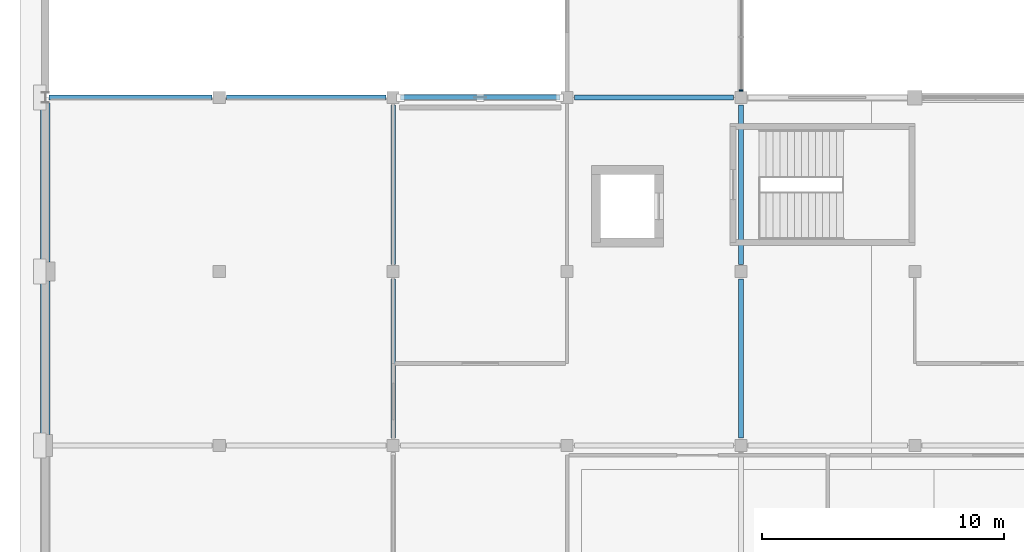
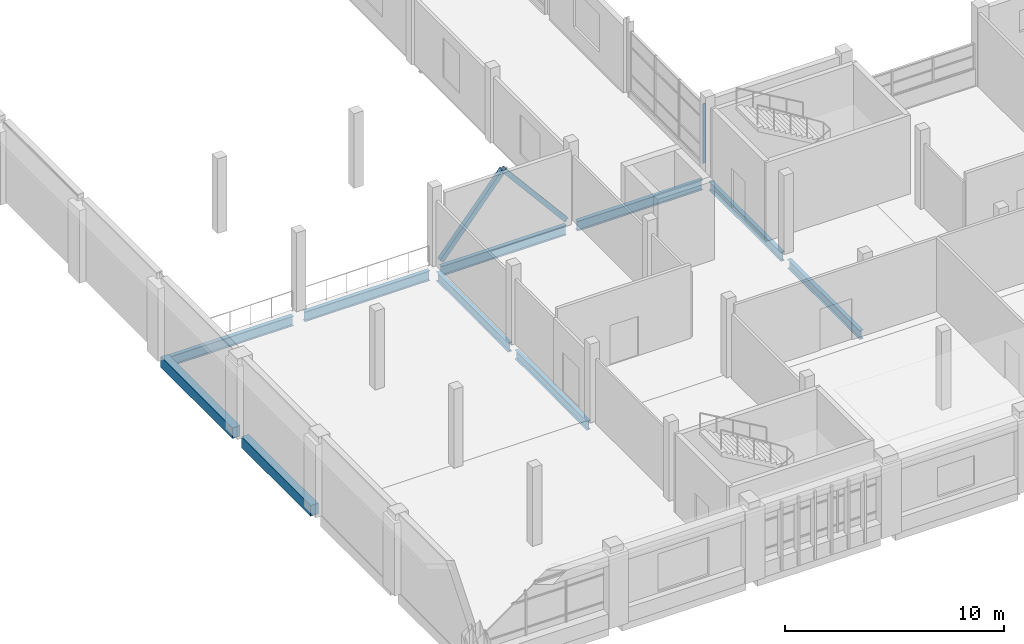
# One storey, part 10 of 71: 10 beams, 3 members, 1 element without a shape of its own.
"""IFC4 building model written with IfcOpenShell, lengths in metres."""

from ifc_helpers import new_model, si_unit, direction, frame, origin, origin_2d, place, context, subcontext, project, spatial, rectangle, hollow_rectangle, i_section, extrude, material, material_profile, profile_set, type_object, element, aggregate, save


model = new_model("IFC4")

# Units and contexts
model_context = context("Model", 3, precision=1e-05, world=origin(), true_north=direction((0.0, 1.0)))
body_context = subcontext(model_context, "Body", "Model", "MODEL_VIEW")
ifc_project = project(units=[si_unit("LENGTHUNIT", "METRE"), si_unit("AREAUNIT", "SQUARE_METRE"), si_unit("VOLUMEUNIT", "CUBIC_METRE"), si_unit("PLANEANGLEUNIT", "RADIAN"), si_unit("MASSUNIT", "GRAM", prefix="KILO")], contexts=[model_context])

# Site, building, storey
site_placement = place(None, origin())
site = spatial("IfcSite", under=ifc_project, at=site_placement, CompositionType="ELEMENT")
building_placement = place(site_placement, origin())
building = spatial("IfcBuilding", under=site, at=building_placement, Name="Sardonyx Promenade Sports Hall", CompositionType="ELEMENT")
storey_placement = place(building_placement, frame((0.0, 0.0, 16.0)))
storey = spatial("IfcBuildingStorey", under=building, at=storey_placement, Name="L03", CompositionType="ELEMENT", Elevation=16.0)

# Beams
ifc_material_1 = material(Name="Steel S355JR", Category="steel")
ifc_material_profile_1 = material_profile(ifc_material_1, i_section(OverallWidth=0.199951171875, OverallDepth=0.5, WebThickness=0.01025390625, FlangeThickness=0.01611328125, at=origin_2d()))
ifc_profile_set_1 = profile_set([ifc_material_profile_1], Name="Steel S355JR")
beam_type_1 = type_object("IfcBeamType", Name="Bm_Primary_IPE500", PredefinedType="BEAM", material=ifc_profile_set_1)
for number, where, z_axis, x_axis, name in (
    (1, (14.39990234375, 14.699951171875, -0.5400390625), (0.0, 1.0, 0.0), (-1.0, 0.0, 0.0), "Beam SB06 L03 #814"),
    (2, (14.39990234375, 21.89990234375, -0.5400390625), (0.0, 1.0, 0.0), (-1.0, 0.0, 0.0), "Beam SB06 L03 #815"),
    (3, (28.800048828125, 14.699951171875, -0.52001953125), (0.0, 1.0, 0.0), (-1.0, 0.0, 0.0), "Beam SB06 L03 #821"),
    (4, (28.800048828125, 21.89990234375, -0.52001953125), (0.0, 1.0, 0.0), (-1.0, 0.0, 0.0), "Beam SB06 L03 #822"),
):
    element("IfcBeam", number, at=place(storey_placement, frame(where, z_axis=z_axis, x_axis=x_axis)), inside=storey, type_object=beam_type_1, Name=name, PredefinedType="BEAM", context=body_context, shape_type="SweptSolid", body=[
        extrude(i_section(OverallWidth=0.199951171875, OverallDepth=0.5, WebThickness=0.01025390625, FlangeThickness=0.01611328125, at=origin_2d()), origin(), (0.0, 0.0, 1.0), 6.60009765625),
    ])
ifc_material_2 = material(Name="Steel S355JR", Category="steel")
ifc_material_profile_2 = material_profile(ifc_material_2, i_section(OverallWidth=0.2099609375, OverallDepth=0.550048828125, WebThickness=0.010986328125, FlangeThickness=0.01708984375, at=origin_2d()))
ifc_profile_set_2 = profile_set([ifc_material_profile_2], Name="Steel S355JR")
beam_type_2 = type_object("IfcBeamType", Name="Bm_Primary_IPE550", PredefinedType="BEAM", material=ifc_profile_set_2)
beam_1_placement = place(storey_placement, frame((0.14990234375, 28.800048828125, -0.56494140625), z_axis=(1.0, 0.0, 0.0), x_axis=(0.0, 1.0, 0.0)))
element("IfcBeam", 5, at=beam_1_placement, inside=storey, type_object=beam_type_2, Name="Beam SB03 L03 #752", PredefinedType="BEAM", context=body_context, shape_type="SweptSolid", body=[
    extrude(i_section(OverallWidth=0.2099609375, OverallDepth=0.550048828125, WebThickness=0.010986328125, FlangeThickness=0.01708984375, at=origin_2d()), origin(), (0.0, 0.0, 1.0), 6.75),
])
for number, where, z_axis, x_axis, name in (
    (6, (7.5, 28.800048828125, -0.56494140625), (1.0, 0.0, 0.0), (0.0, 1.0, 0.0), "Beam SB03 L03 #753"),
    (7, (14.699951171875, 28.800048828125, -0.544921875), (1.0, 0.0, 0.0), (0.0, 1.0, 0.0), "Beam SB03 L03 #754"),
    (8, (21.89990234375, 28.800048828125, -0.544921875), (1.0, 0.0, 0.0), (0.0, 1.0, 0.0), "Beam SB03 L03 #755"),
):
    element("IfcBeam", number, at=place(storey_placement, frame(where, z_axis=z_axis, x_axis=x_axis)), inside=storey, type_object=beam_type_2, Name=name, PredefinedType="BEAM", context=body_context, shape_type="SweptSolid", body=[
        extrude(i_section(OverallWidth=0.2099609375, OverallDepth=0.550048828125, WebThickness=0.010986328125, FlangeThickness=0.01708984375, at=origin_2d()), origin(), (0.0, 0.0, 1.0), 6.60009765625),
    ])
ifc_material_3 = material(Name="Concrete C40/50", Category="concrete")
ifc_material_profile_3 = material_profile(ifc_material_3, rectangle(XDim=0.39990234375, YDim=0.60009765625, at=origin_2d()))
ifc_profile_set_3 = profile_set([ifc_material_profile_3], Name="Concrete C40/50")
beam_type_3 = type_object("IfcBeamType", Name="Bm_Spandrel_RC600", PredefinedType="SPANDREL", material=ifc_profile_set_3)
beam_2_placement = place(storey_placement, frame((0.0, 14.85009765625, -0.300048828125), z_axis=(0.0, 1.0, 0.0), x_axis=(-1.0, 0.0, 0.0)))
element("IfcBeam", 9, at=beam_2_placement, inside=storey, type_object=beam_type_3, Name="Beam SPB1 L03 #810", PredefinedType="SPANDREL", context=body_context, shape_type="SweptSolid", body=[
    extrude(rectangle(XDim=0.39990234375, YDim=0.60009765625, at=origin_2d()), origin(), (0.0, 0.0, 1.0), 6.349853515625),
])
beam_3_placement = place(storey_placement, frame((0.0, 22.0, -0.300048828125), z_axis=(0.0, 1.0, 0.0), x_axis=(-1.0, 0.0, 0.0)))
element("IfcBeam", 10, at=beam_3_placement, inside=storey, type_object=beam_type_3, Name="Beam SPB1 L03 #811", PredefinedType="SPANDREL", context=body_context, shape_type="SweptSolid", body=[
    extrude(rectangle(XDim=0.39990234375, YDim=0.60009765625, at=origin_2d()), origin(), (0.0, 0.0, 1.0), 6.580078125),
])

# Curtain wall, member
ifc_material_4 = material(Name="Aluminium 6063-T6", Category="aluminium")
curtain_wall_type = type_object("IfcCurtainWallType", Name="CW_South_L03_640", PredefinedType="USERDEFINED", material=ifc_material_4)
curtain_wall_placement = place(storey_placement, origin())
curtain_wall = element("IfcCurtainWall", 11, at=curtain_wall_placement, inside=storey, type_object=curtain_wall_type, Name="Curtain wall CW14 cw:L03:157", ObjectType="CURTAIN WALL", PredefinedType="USERDEFINED")
ifc_material_5 = material(Name="Aluminium 6063-T6", Category="aluminium")
ifc_material_profile_4 = material_profile(ifc_material_5, rectangle(XDim=0.06005859375, YDim=0.14990234375, at=origin_2d()))
ifc_profile_set_4 = profile_set([ifc_material_profile_4], Name="Aluminium 6063-T6")
member_type_1 = type_object("IfcMemberType", Name="CW_Mull_150", PredefinedType="MULLION", material=ifc_profile_set_4)
member_placement = place(storey_placement, frame((28.800048828125, 29.10009765625, 0.35009765625), z_axis=(0.0, 0.0, 1.0), x_axis=(0.0, -1.0, 0.0)))
member = element("IfcMember", 12, at=member_placement, type_object=member_type_1, Name="Mullion CM01 cw:L03:157 #4", PredefinedType="MULLION", context=body_context, shape_type="SweptSolid", body=[
    extrude(rectangle(XDim=0.06005859375, YDim=0.14990234375, at=origin_2d()), origin(), (0.0, 0.0, 1.0), 3.304931640625),
])
aggregate(curtain_wall, [member])

# Members
ifc_material_6 = material(Name="Steel S355JR", Category="steel")
ifc_material_profile_5 = material_profile(ifc_material_6, hollow_rectangle(XDim=0.25, YDim=0.25, WallThickness=0.012451171875, at=origin_2d()))
ifc_profile_set_5 = profile_set([ifc_material_profile_5], Name="Steel S355JR")
member_type_2 = type_object("IfcMemberType", Name="Mbr_Brace_SHS250_Int", PredefinedType="BRACE", material=ifc_profile_set_5)
for number, where, z_axis, x_axis, name in (
    (13, (14.699951171875, 28.800048828125, 0.02001953125), (0.64306711619, 0.0, 0.765809822394), (0.0, 1.0, 0.0), "Chevron brace BR05 BF5 L03 leg 1"),
    (14, (21.300048828125, 28.800048828125, 0.02001953125), (-0.64306711619, 0.0, 0.765809822394), (0.0, -1.0, 0.0), "Chevron brace BR05 BF5 L03 leg 2"),
):
    element("IfcMember", number, at=place(storey_placement, frame(where, z_axis=z_axis, x_axis=x_axis)), inside=storey, type_object=member_type_2, Name=name, PredefinedType="BRACE", context=body_context, shape_type="SweptSolid", body=[
        extrude(hollow_rectangle(XDim=0.25, YDim=0.25, WallThickness=0.012451171875, at=origin_2d()), origin(), (0.0, 0.0, 1.0), 5.1318359375),
    ])

save(model, "model.ifc")
